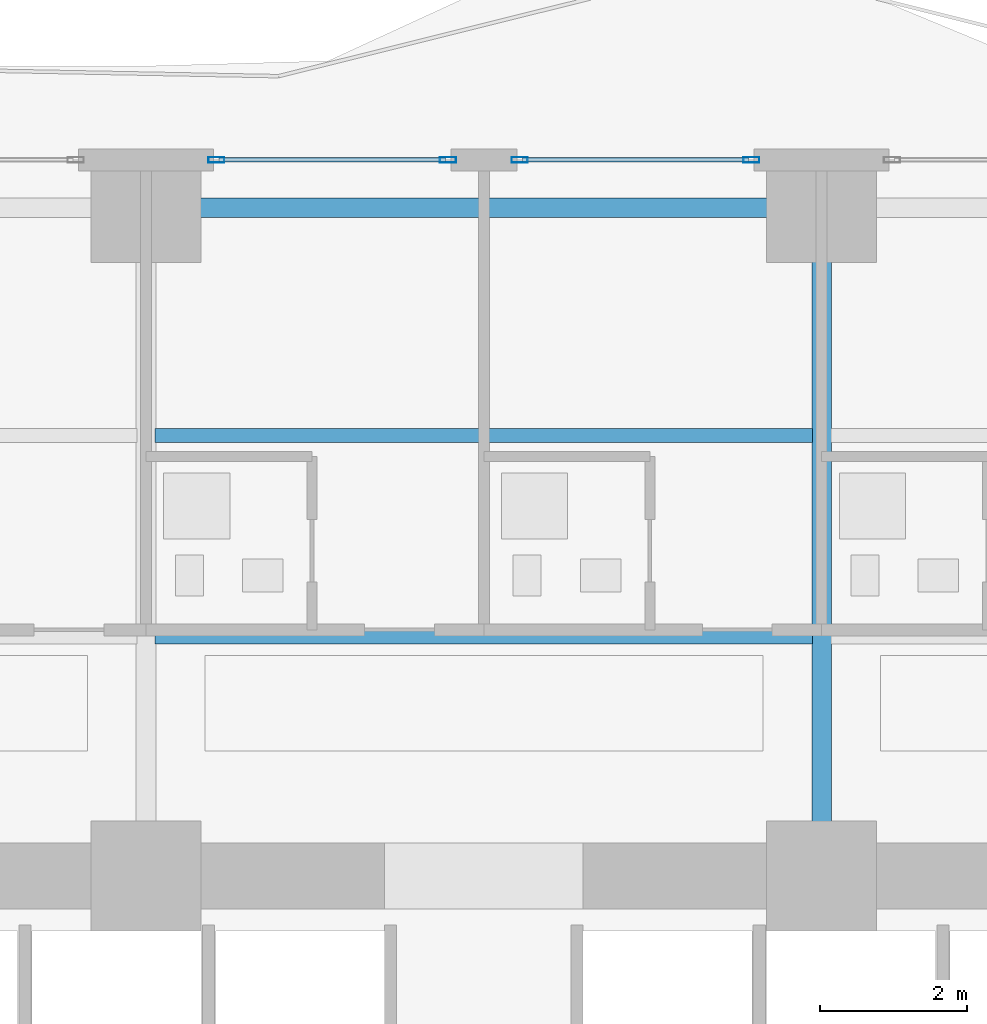
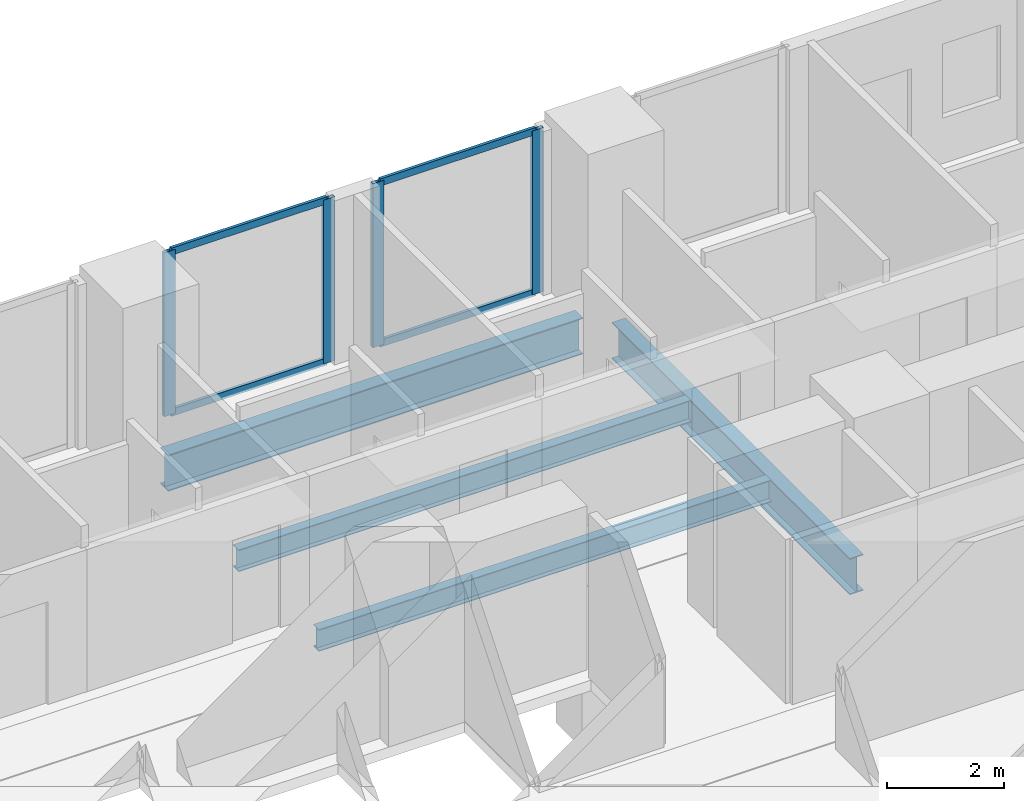
# One storey, part 15 of 29: 8 members, 4 beams, 2 elements without a shape of their own.
"""IFC4 building model written with IfcOpenShell, lengths in metres."""

import ifcopenshell
import ifcopenshell.guid

model = None  # the IFC model being written
_history = None  # IfcOwnerHistory: only IFC2X3 demands one
_inside = {}  # id of a spatial element -> (the spatial element, [elements in it])
_under = {}  # id of a project, library or spatial element -> (it, [spatial elements below it])
_declared = {}  # id of a project -> (the project, [libraries it declares])
_typed = {}  # id of a type object -> (the type object, [elements of that type])
_made_of = {}  # id of a material, layer set ... -> (it, [elements and type objects made of it])


def new_model(schema):
    """Start an empty IFC model of exactly this schema.

    Asked for "IFC4X3", IfcOpenShell would pick the latest addendum, in which some entities
    have other attributes; the version numbers below select the first issue.
    IFC2X3 requires an IfcOwnerHistory on every rooted entity: one is made here for all.
    """
    global model, _history
    if schema == "IFC4X3":
        model = ifcopenshell.file(schema_version=(4, 3, 0, 0))
    else:
        model = ifcopenshell.file(schema=schema)
    _inside.clear()
    _under.clear()
    _declared.clear()
    _typed.clear()
    _made_of.clear()
    _history = None
    if model.schema == "IFC2X3":
        org = make("IfcOrganization", Name="unknown")
        user = make(
            "IfcPersonAndOrganization",
            ThePerson=make("IfcPerson", FamilyName="unknown"),
            TheOrganization=org,
        )
        app = make(
            "IfcApplication",
            ApplicationDeveloper=org,
            Version="unknown",
            ApplicationFullName="unknown",
            ApplicationIdentifier="unknown",
        )
        _history = make(
            "IfcOwnerHistory",
            OwningUser=user,
            OwningApplication=app,
            ChangeAction="ADDED",
            CreationDate=0,
        )
    return model


def make(cls, **values):
    """One entity of the class cls with the attributes given. An attribute that is None is left unset."""
    return model.create_entity(
        cls, **{name: value for name, value in values.items() if value is not None}
    )


def rooted(cls, **values):
    """An entity with a GlobalId (a new one), such as an element, a storey or a relation."""
    return make(cls, GlobalId=ifcopenshell.guid.new(), OwnerHistory=_history, **values)


def si_unit(unit_type, name, prefix=None):
    """IfcSIUnit, for example si_unit("LENGTHUNIT", "METRE", prefix="MILLI")."""
    return make("IfcSIUnit", UnitType=unit_type, Prefix=prefix, Name=name)


def assignment(units):
    """IfcUnitAssignment: the units of a project."""
    return None if units is None else make("IfcUnitAssignment", Units=units)


def point(xyz):
    """IfcCartesianPoint."""
    return None if xyz is None else make("IfcCartesianPoint", Coordinates=xyz)


def direction(xyz):
    """IfcDirection."""
    return None if xyz is None else make("IfcDirection", DirectionRatios=xyz)


def frame(location, z_axis=None, x_axis=None):
    """IfcAxis2Placement3D, a coordinate frame: its origin and axes. An axis left out is left unset."""
    return make(
        "IfcAxis2Placement3D",
        Location=point(location),
        Axis=direction(z_axis),
        RefDirection=direction(x_axis),
    )


def frame_2d(location, x_axis=None):
    """IfcAxis2Placement2D, a coordinate frame in the plane: its origin and x axis."""
    return make(
        "IfcAxis2Placement2D", Location=point(location), RefDirection=direction(x_axis)
    )


def origin():
    """The frame at (0, 0, 0) with its axes left unset."""
    return frame((0.0, 0.0, 0.0))


def origin_2d():
    """The frame at (0, 0) in the plane with its x axis left unset."""
    return frame_2d((0.0, 0.0))


def place(relative_to, where):
    """IfcLocalPlacement: puts the frame where relative to a parent placement (None: the world)."""
    return make(
        "IfcLocalPlacement", PlacementRelTo=relative_to, RelativePlacement=where
    )


def context(
    kind, dimensions, precision=None, world=None, true_north=None, identifier=None
):
    """IfcGeometricRepresentationContext, for example the 3D "Model" context."""
    return make(
        "IfcGeometricRepresentationContext",
        ContextIdentifier=identifier,
        ContextType=kind,
        CoordinateSpaceDimension=dimensions,
        Precision=precision,
        WorldCoordinateSystem=world,
        TrueNorth=true_north,
    )


def subcontext(parent, identifier, kind, view, scale=None):
    """IfcGeometricRepresentationSubContext, for example "Body" below "Model"."""
    return make(
        "IfcGeometricRepresentationSubContext",
        ContextIdentifier=identifier,
        ContextType=kind,
        ParentContext=parent,
        TargetScale=scale,
        TargetView=view,
    )


def project(units=None, contexts=None):
    """IfcProject with its units and contexts."""
    return rooted(
        "IfcProject",
        Name="project",
        RepresentationContexts=contexts,
        UnitsInContext=assignment(units),
    )


def spatial(cls, under=None, at=None, **own):
    """A site, building, storey or space (cls), placed at a placement, below another one or the project."""
    s = rooted(cls, ObjectPlacement=at, **own)
    if under is not None:
        _under.setdefault(under.id(), (under, []))[1].append(s)
    return s


def profile(cls, at=None, kind="AREA", **sizes):
    """A parametric profile (cls). Its sizes go by their IFC names, for example OverallWidth=200.0."""
    return make(cls, ProfileType=kind, Position=at, **sizes)


def hollow_rectangle(**sizes):
    """IfcRectangleHollowProfileDef."""
    return profile("IfcRectangleHollowProfileDef", **sizes)


def i_section(**sizes):
    """IfcIShapeProfileDef."""
    return profile("IfcIShapeProfileDef", **sizes)


def extrude(swept, where, along, depth):
    """IfcExtrudedAreaSolid: the profile swept, set in the frame where, extruded along a direction by depth."""
    return make(
        "IfcExtrudedAreaSolid",
        SweptArea=swept,
        Position=where,
        ExtrudedDirection=direction(along),
        Depth=depth,
    )


def shape(context_of_items, identifier, shape_type, items):
    """IfcShapeRepresentation: the items that make up one representation, for example the "Body"."""
    return make(
        "IfcShapeRepresentation",
        ContextOfItems=context_of_items,
        RepresentationIdentifier=identifier,
        RepresentationType=shape_type,
        Items=items,
    )


def material(Name=None, Category=None):
    """IfcMaterial."""
    return make("IfcMaterial", Name=Name, Category=Category)


def layer(
    of_material, thickness, ventilated=None, Name=None, Category=None, Priority=None
):
    """IfcMaterialLayer: one layer of a wall or slab, of a material (None: an air gap)."""
    return make(
        "IfcMaterialLayer",
        Material=of_material,
        LayerThickness=thickness,
        IsVentilated=ventilated,
        Name=Name,
        Category=Category,
        Priority=Priority,
    )


def layer_set(layers, Name=None):
    """IfcMaterialLayerSet."""
    return make("IfcMaterialLayerSet", MaterialLayers=layers, LayerSetName=Name)


def material_profile(
    of_material, cross_section, Name=None, Category=None, Priority=None
):
    """IfcMaterialProfile: a cross section and its material."""
    return make(
        "IfcMaterialProfile",
        Name=Name,
        Material=of_material,
        Profile=cross_section,
        Priority=Priority,
        Category=Category,
    )


def profile_set(profiles, Name=None, composite=None):
    """IfcMaterialProfileSet."""
    return make(
        "IfcMaterialProfileSet",
        Name=Name,
        MaterialProfiles=profiles,
        CompositeProfile=composite,
    )


def made_of(thing, what):
    """Note that an element or type object is made of a material, layer set ...; save() writes the relation."""
    if what is not None:
        _made_of.setdefault(what.id(), (what, []))[1].append(thing)
    return thing


def type_object(cls, material=None, **own):
    """A type object (cls), such as IfcWallType, which elements share."""
    return made_of(rooted(cls, **own), material)


def element(
    cls,
    number,
    at=None,
    inside=None,
    cuts=None,
    type_object=None,
    material=None,
    context=None,
    identifier="Body",
    shape_type=None,
    held_by="IfcProductDefinitionShape",
    body=None,
    shapes=None,
    **own,
):
    """One element of the class cls, such as IfcWall. Its Tag is "e" and its number.

    at: its placement. inside: the storey or other place that contains it. cuts: it is an
    opening in that element (IfcRelVoidsElement). A single representation is given by context,
    identifier, shape_type and body (its items); several are given by shapes. held_by: the class
    of the entity that holds the representations. save() writes the other relations.
    """
    e = rooted(cls, Tag="e%d" % number, ObjectPlacement=at, **own)
    if body is not None:
        shapes = [shape(context, identifier, shape_type, body)]
    if shapes is not None:
        e.Representation = make(held_by, Representations=shapes)
    if inside is not None:
        _inside.setdefault(inside.id(), (inside, []))[1].append(e)
    if cuts is not None:
        rooted(
            "IfcRelVoidsElement", RelatingBuildingElement=cuts, RelatedOpeningElement=e
        )
    if type_object is not None:
        _typed.setdefault(type_object.id(), (type_object, []))[1].append(e)
    return made_of(e, material)


def aggregate(whole, parts):
    """IfcRelAggregates: a whole, such as a stair, and the parts it consists of."""
    return rooted("IfcRelAggregates", RelatingObject=whole, RelatedObjects=parts)


def save(model, path):
    """Write the relations noted so far, then the file.

    IfcRelAggregates (storeys below a building ...), IfcRelContainedInSpatialStructure (elements
    in a storey), IfcRelDefinesByType, IfcRelAssociatesMaterial and IfcRelDeclares: one each for
    every whole, place, type object, material and project.
    """
    for whole, parts in _under.values():
        aggregate(whole, parts)
    for where, things in _inside.values():
        rooted(
            "IfcRelContainedInSpatialStructure",
            RelatedElements=things,
            RelatingStructure=where,
        )
    for kind, things in _typed.values():
        rooted("IfcRelDefinesByType", RelatedObjects=things, RelatingType=kind)
    for what, things in _made_of.values():
        rooted("IfcRelAssociatesMaterial", RelatedObjects=things, RelatingMaterial=what)
    for by, libraries in _declared.values():
        rooted("IfcRelDeclares", RelatingContext=by, RelatedDefinitions=libraries)
    model.write(path)


model = new_model("IFC4")

# Units and contexts
model_context = context("Model", 3, precision=1e-05, world=origin(), true_north=direction((0.0, 1.0)))
body_context = subcontext(model_context, "Body", "Model", "MODEL_VIEW")
ifc_project = project(units=[si_unit("LENGTHUNIT", "METRE"), si_unit("AREAUNIT", "SQUARE_METRE"), si_unit("VOLUMEUNIT", "CUBIC_METRE"), si_unit("PLANEANGLEUNIT", "RADIAN"), si_unit("MASSUNIT", "GRAM", prefix="KILO")], contexts=[model_context])

# Site, building, storey
site_placement = place(None, origin())
site = spatial("IfcSite", under=ifc_project, at=site_placement, CompositionType="ELEMENT")
building_placement = place(site_placement, origin())
building = spatial("IfcBuilding", under=site, at=building_placement, Name="Zuhayl Quay Hotel", CompositionType="ELEMENT")
storey_placement = place(building_placement, frame((0.0, 0.0, 64.10009765625)))
storey = spatial("IfcBuildingStorey", under=building, at=storey_placement, Name="L15", CompositionType="ELEMENT", Elevation=64.10009765625)

# Beams
ifc_material_1 = material(Name="Steel ASTM A992 Grade 50", Category="steel")
ifc_material_profile_1 = material_profile(ifc_material_1, i_section(OverallWidth=0.26708984375, OverallDepth=0.761962890625, WebThickness=0.014404296875, FlangeThickness=0.021484375, at=origin_2d()), Name="W30X116")
ifc_profile_set_1 = profile_set([ifc_material_profile_1], Name="Steel ASTM A992 Grade 50")
beam_type_1 = type_object("IfcBeamType", Name="BM_B1_W30X116", PredefinedType="BEAM", material=ifc_profile_set_1)
beam_1_placement = place(storey_placement, frame((4.10009765625, 22.449951171875, -0.60107421875), z_axis=(-1.0, 0.0, 0.0), x_axis=(0.0, -1.0, 0.0)))
element("IfcBeam", 1, at=beam_1_placement, inside=storey, type_object=beam_type_1, Name="L15 Floor Beam RG_L15_08", PredefinedType="BEAM", context=body_context, shape_type="SweptSolid", body=[
    extrude(i_section(OverallWidth=0.26708984375, OverallDepth=0.761962890625, WebThickness=0.014404296875, FlangeThickness=0.021484375, at=origin_2d()), origin(), (0.0, 0.0, 1.0), 8.2001953125),
])
beam_2_placement = place(storey_placement, frame((4.60009765625, 13.800048828125, -0.60107421875), z_axis=(0.0, 1.0, 0.0), x_axis=(-1.0, 0.0, 0.0)))
element("IfcBeam", 2, at=beam_2_placement, inside=storey, type_object=beam_type_1, Name="L15 Floor Beam FG_N_L15_3", PredefinedType="BEAM", context=body_context, shape_type="SweptSolid", body=[
    extrude(i_section(OverallWidth=0.26708984375, OverallDepth=0.761962890625, WebThickness=0.014404296875, FlangeThickness=0.021484375, at=origin_2d()), origin(), (0.0, 0.0, 1.0), 8.14990234375),
])
ifc_material_profile_2 = material_profile(ifc_material_1, i_section(OverallWidth=0.18994140625, OverallDepth=0.45703125, WebThickness=0.009033203125, FlangeThickness=0.014404296875, at=origin_2d()), Name="W18X50")
ifc_profile_set_2 = profile_set([ifc_material_profile_2], Name="Steel ASTM A992 Grade 50")
beam_type_2 = type_object("IfcBeamType", Name="BM_J2_W18X50", PredefinedType="JOIST", material=ifc_profile_set_2)
for number, where, z_axis, x_axis, name in (
    (3, (-4.474609375, 16.60009765625, -0.448486328125), (1.0, 0.0, 0.0), (0.0, 1.0, 0.0), "L15 Floor Beam FJ_L15_1_2"),
    (4, (-4.474609375, 19.35009765625, -0.448486328125), (1.0, 0.0, 0.0), (0.0, 1.0, 0.0), "L15 Floor Beam FJ_L15_2_2"),
):
    element("IfcBeam", number, at=place(storey_placement, frame(where, z_axis=z_axis, x_axis=x_axis)), inside=storey, type_object=beam_type_2, Name=name, PredefinedType="JOIST", context=body_context, shape_type="SweptSolid", body=[
        extrude(i_section(OverallWidth=0.18994140625, OverallDepth=0.45703125, WebThickness=0.009033203125, FlangeThickness=0.014404296875, at=origin_2d()), origin(), (0.0, 0.0, 1.0), 8.94921875),
    ])

# Curtain wall, members
ifc_material_2 = material(Name="Anodised Aluminium 6063-T6", Category="aluminium")
ifc_layer = layer(ifc_material_2, 0.18994140625, Name="Anodised Aluminium 6063-T6", Category="aluminium")
ifc_layer_set = layer_set([ifc_layer], Name="Anodised Aluminium 6063-T6")
curtain_wall_type = type_object("IfcCurtainWallType", Name="CW_SYS_Z1", PredefinedType="USERDEFINED", material=ifc_layer_set)
curtain_wall_1_placement = place(storey_placement, origin())
curtain_wall_1 = element("IfcCurtainWall", 5, at=curtain_wall_1_placement, inside=storey, type_object=curtain_wall_type, Name="L15 Curtain Wall ENV_L15_N_CW3", ObjectType="UNITISED CURTAIN WALL", PredefinedType="USERDEFINED")
ifc_material_3 = material(Name="Black-anodised aluminium 6063-T6", Category="aluminium")
ifc_material_profile_3 = material_profile(ifc_material_3, hollow_rectangle(XDim=0.074951171875, YDim=0.219970703125, WallThickness=0.00390625, at=origin_2d()), Name="ALU220X75")
ifc_profile_set_3 = profile_set([ifc_material_profile_3], Name="Black-anodised aluminium 6063-T6")
member_type_1 = type_object("IfcMemberType", Name="MB_CW_MUL_220", PredefinedType="MULLION", material=ifc_profile_set_3)
member_1_placement = place(storey_placement, frame((-3.642578125, 23.10009765625, 0.0), z_axis=(0.0, 0.0, 1.0), x_axis=(0.0, 1.0, 0.0)))
member_1 = element("IfcMember", 6, at=member_1_placement, type_object=member_type_1, Name="CW-Z1 mullion 1", PredefinedType="MULLION", context=body_context, shape_type="SweptSolid", body=[
    extrude(hollow_rectangle(XDim=0.074951171875, YDim=0.219970703125, WallThickness=0.00390625, at=origin_2d()), origin(), (0.0, 0.0, 1.0), 3.429931640625),
])
member_2_placement = place(storey_placement, frame((-0.487548828125, 23.10009765625, 0.0), z_axis=(0.0, 0.0, 1.0), x_axis=(0.0, 1.0, 0.0)))
member_2 = element("IfcMember", 7, at=member_2_placement, type_object=member_type_1, Name="CW-Z1 mullion 2", PredefinedType="MULLION", context=body_context, shape_type="SweptSolid", body=[
    extrude(hollow_rectangle(XDim=0.074951171875, YDim=0.219970703125, WallThickness=0.00390625, at=origin_2d()), origin(), (0.0, 0.0, 1.0), 3.429931640625),
])

curtain_wall_2_placement = place(storey_placement, origin())
curtain_wall_2 = element("IfcCurtainWall", 8, at=curtain_wall_2_placement, inside=storey, type_object=curtain_wall_type, Name="L15 Curtain Wall ENV_L15_N_CW4", ObjectType="UNITISED CURTAIN WALL", PredefinedType="USERDEFINED")
member_3_placement = place(storey_placement, frame((0.487548828125, 23.10009765625, 0.0), z_axis=(0.0, 0.0, 1.0), x_axis=(0.0, 1.0, 0.0)))
member_3 = element("IfcMember", 9, at=member_3_placement, type_object=member_type_1, Name="CW-Z1 mullion 1", PredefinedType="MULLION", context=body_context, shape_type="SweptSolid", body=[
    extrude(hollow_rectangle(XDim=0.074951171875, YDim=0.219970703125, WallThickness=0.00390625, at=origin_2d()), origin(), (0.0, 0.0, 1.0), 3.429931640625),
])
member_4_placement = place(storey_placement, frame((3.642578125, 23.10009765625, 0.0), z_axis=(0.0, 0.0, 1.0), x_axis=(0.0, 1.0, 0.0)))
member_4 = element("IfcMember", 10, at=member_4_placement, type_object=member_type_1, Name="CW-Z1 mullion 2", PredefinedType="MULLION", context=body_context, shape_type="SweptSolid", body=[
    extrude(hollow_rectangle(XDim=0.074951171875, YDim=0.219970703125, WallThickness=0.00390625, at=origin_2d()), origin(), (0.0, 0.0, 1.0), 3.429931640625),
])

# Member
ifc_material_profile_4 = material_profile(ifc_material_3, hollow_rectangle(XDim=0.06005859375, YDim=0.14990234375, WallThickness=0.00341796875, at=origin_2d()), Name="ALU150X60")
ifc_profile_set_4 = profile_set([ifc_material_profile_4], Name="Black-anodised aluminium 6063-T6")
member_type_2 = type_object("IfcMemberType", Name="MB_CW_TRN_150", PredefinedType="USERDEFINED", material=ifc_profile_set_4)
member_5_placement = place(storey_placement, frame((-3.60498046875, 23.10009765625, 0.02978515625), z_axis=(1.0, 0.0, 0.0), x_axis=(0.0, 1.0, 0.0)))
member_5 = element("IfcMember", 11, at=member_5_placement, type_object=member_type_2, Name="CW-Z1 transom 1.1", ObjectType="TRANSOM", PredefinedType="USERDEFINED", context=body_context, shape_type="SweptSolid", body=[
    extrude(hollow_rectangle(XDim=0.06005859375, YDim=0.14990234375, WallThickness=0.00341796875, at=origin_2d()), origin(), (0.0, 0.0, 1.0), 3.080078125),
])

member_6_placement = place(storey_placement, frame((-3.60498046875, 23.10009765625, 3.39990234375), z_axis=(1.0, 0.0, 0.0), x_axis=(0.0, 1.0, 0.0)))
member_6 = element("IfcMember", 12, at=member_6_placement, type_object=member_type_2, Name="CW-Z1 transom 1.2", ObjectType="TRANSOM", PredefinedType="USERDEFINED", context=body_context, shape_type="SweptSolid", body=[
    extrude(hollow_rectangle(XDim=0.06005859375, YDim=0.14990234375, WallThickness=0.00341796875, at=origin_2d()), origin(), (0.0, 0.0, 1.0), 3.080078125),
])

aggregate(curtain_wall_1, [member_1, member_2, member_5, member_6])

member_7_placement = place(storey_placement, frame((0.52490234375, 23.10009765625, 0.02978515625), z_axis=(1.0, 0.0, 0.0), x_axis=(0.0, 1.0, 0.0)))
member_7 = element("IfcMember", 13, at=member_7_placement, type_object=member_type_2, Name="CW-Z1 transom 1.1", ObjectType="TRANSOM", PredefinedType="USERDEFINED", context=body_context, shape_type="SweptSolid", body=[
    extrude(hollow_rectangle(XDim=0.06005859375, YDim=0.14990234375, WallThickness=0.00341796875, at=origin_2d()), origin(), (0.0, 0.0, 1.0), 3.080078125),
])

member_8_placement = place(storey_placement, frame((0.52490234375, 23.10009765625, 3.39990234375), z_axis=(1.0, 0.0, 0.0), x_axis=(0.0, 1.0, 0.0)))
member_8 = element("IfcMember", 14, at=member_8_placement, type_object=member_type_2, Name="CW-Z1 transom 1.2", ObjectType="TRANSOM", PredefinedType="USERDEFINED", context=body_context, shape_type="SweptSolid", body=[
    extrude(hollow_rectangle(XDim=0.06005859375, YDim=0.14990234375, WallThickness=0.00341796875, at=origin_2d()), origin(), (0.0, 0.0, 1.0), 3.080078125),
])

aggregate(curtain_wall_2, [member_3, member_4, member_7, member_8])

save(model, "model.ifc")
